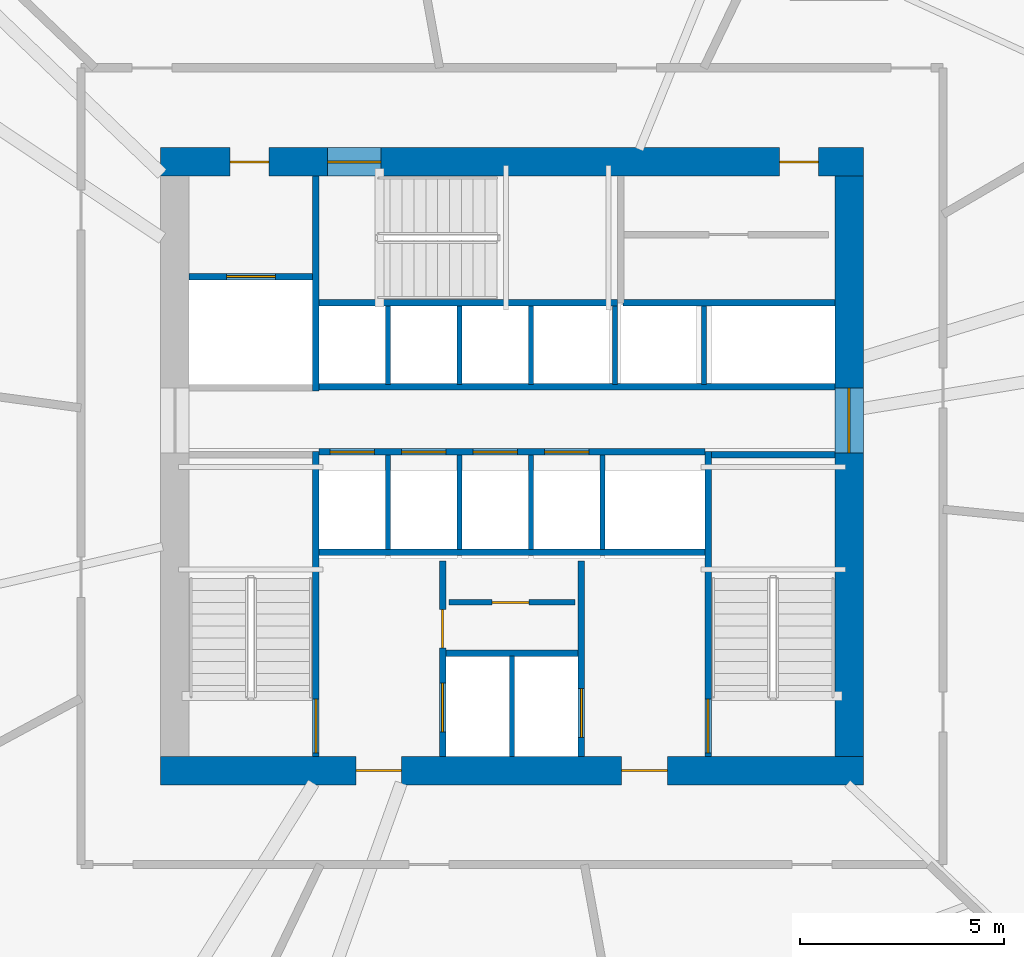
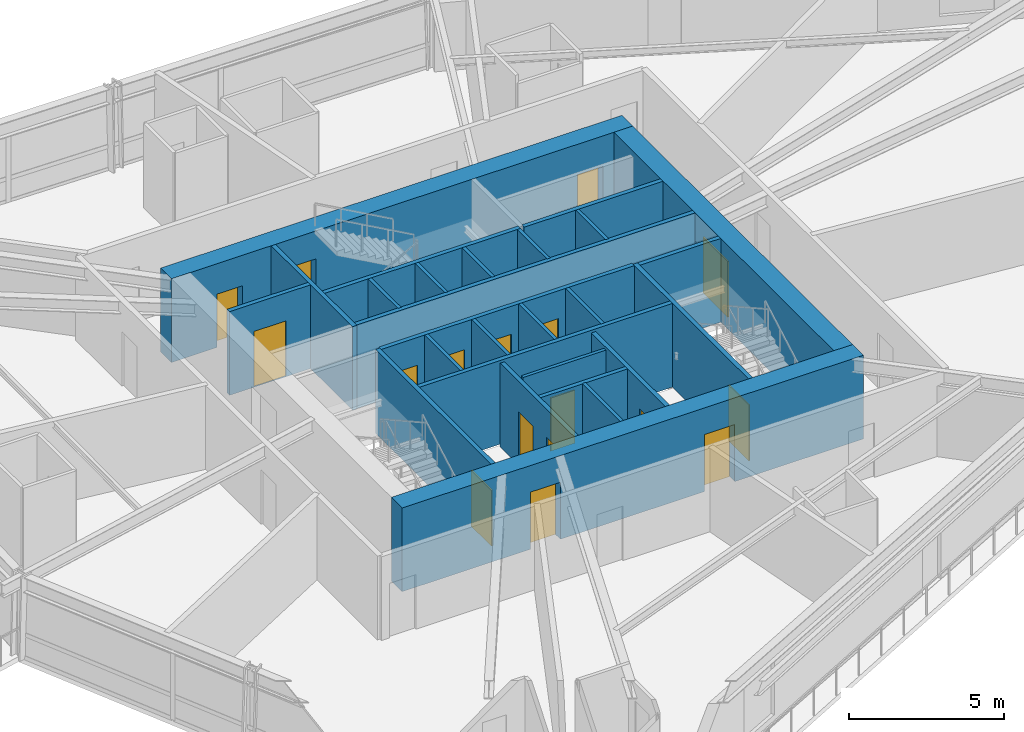
# One storey, part 15 of 22: 27 walls, 17 doors, 17 openings.
"""IFC4 building model written with IfcOpenShell, lengths in metres."""

from ifc_helpers import new_model, si_unit, direction, frame, frame_2d, origin, place, context, subcontext, project, spatial, rectangle, extrude, source, transform, mapped, material, layer, layer_set, type_object, type_shapes, element, fill, save


model = new_model("IFC4")

# Units and contexts
model_context = context("Model", 3, precision=1e-05, world=origin(), true_north=direction((0.0, 1.0)))
body_context = subcontext(model_context, "Body", "Model", "MODEL_VIEW")
ifc_project = project(units=[si_unit("LENGTHUNIT", "METRE"), si_unit("AREAUNIT", "SQUARE_METRE"), si_unit("VOLUMEUNIT", "CUBIC_METRE"), si_unit("PLANEANGLEUNIT", "RADIAN"), si_unit("MASSUNIT", "GRAM", prefix="KILO")], contexts=[model_context])

# Site, building, storey
site_placement = place(None, origin())
site = spatial("IfcSite", under=ifc_project, at=site_placement, CompositionType="ELEMENT")
building_placement = place(site_placement, origin())
building = spatial("IfcBuilding", under=site, at=building_placement, Name="Olszyna Solenne Hotel", CompositionType="ELEMENT")
storey_placement = place(building_placement, frame((0.0, 0.0, 87.949951171875)))
storey = spatial("IfcBuildingStorey", under=building, at=storey_placement, Name="L22", CompositionType="ELEMENT", Elevation=87.949951171875)

# Wall, openings, doors
ifc_material_1 = material(Name="Concrete C60/75", Category="concrete")
ifc_layer_1 = layer(ifc_material_1, 0.699951171875, Name="Concrete C60/75")
ifc_layer_set_1 = layer_set([ifc_layer_1], Name="Concrete C60/75")
wall_type_1 = type_object("IfcWallType", Name="WL-CR700", PredefinedType="SHEAR", material=ifc_layer_set_1)
wall_1_placement = place(storey_placement, frame((46.60009765625, 19.14990234375, 0.0), z_axis=(0.0, 0.0, 1.0), x_axis=(-1.0, 0.0, 0.0)))
wall_1 = element("IfcWall", 1, at=wall_1_placement, inside=storey, type_object=wall_type_1, Name="Core shear wall WL-CR700 CRW-L22-S", PredefinedType="SHEAR", context=body_context, shape_type="SweptSolid", body=[
    extrude(rectangle(XDim=17.2001953125, YDim=0.699951171875, at=frame_2d((8.60009765625, 0.0))), origin(), (0.0, 0.0, 1.0), 3.300048828125),
])
opening_1_placement = place(wall_1_placement, frame((4.800048828125, 0.0, 0.0)))
opening_1 = element("IfcOpeningElement", 2, at=opening_1_placement, cuts=wall_1, Name="Opening FL-L22-1", PredefinedType="OPENING", context=body_context, shape_type="SweptSolid", body=[
    extrude(rectangle(XDim=1.1201171875, YDim=2.25, at=frame_2d((0.56005859375, 1.125))), frame((0.0, 0.35986328125, 0.0), z_axis=(0.0, -1.0, 0.0), x_axis=(1.0, 0.0, 0.0)), (0.0, 0.0, 1.0), 0.719970703125),
])
opening_2_placement = place(wall_1_placement, frame((11.300048828125, 0.0, 0.0)))
opening_2 = element("IfcOpeningElement", 3, at=opening_2_placement, cuts=wall_1, Name="Opening FL-L22-2", PredefinedType="OPENING", context=body_context, shape_type="SweptSolid", body=[
    extrude(rectangle(XDim=1.1201171875, YDim=2.25, at=frame_2d((0.56005859375, 1.125))), frame((0.0, 0.35986328125, 0.0), z_axis=(0.0, -1.0, 0.0), x_axis=(1.0, 0.0, 0.0)), (0.0, 0.0, 1.0), 0.719970703125),
])
ifc_material_2 = material(Name="Steel S355J2", Category="steel")
door_type_1 = type_object("IfcDoorType", Name="DR-FL1", OperationType="NOTDEFINED", PredefinedType="DOOR", material=ifc_material_2)
shared_shape_1 = source(origin(), body_context, "Body", "SweptSolid", [
    extrude(rectangle(XDim=1.1201171875, YDim=2.25, at=frame_2d((0.56005859375, 1.125))), frame((0.0, 0.02490234375, 0.0), z_axis=(0.0, -1.0, 0.0), x_axis=(1.0, 0.0, 0.0)), (0.0, 0.0, 1.0), 0.050048828125),
])
type_shapes(door_type_1, [shared_shape_1])
door_1_placement = place(opening_1_placement, origin())
door_1 = element("IfcDoor", 4, at=door_1_placement, inside=storey, type_object=door_type_1, Name="Firefighting lift lobby smoke door FL-L22-1", OperationType="SINGLE_SWING_LEFT", OverallHeight=2.25, OverallWidth=1.1201171875, PredefinedType="DOOR", context=body_context, shape_type="MappedRepresentation", body=[
    mapped(shared_shape_1, transform((0.0, 0.0, 0.0), x_axis=(1.0, 0.0, 0.0), y_axis=(0.0, 1.0, 0.0), z_axis=(0.0, 0.0, 1.0), scale=1.0)),
])
fill(opening_1, door_1)
door_2_placement = place(opening_2_placement, origin())
door_2 = element("IfcDoor", 5, at=door_2_placement, inside=storey, type_object=door_type_1, Name="Firefighting lift lobby smoke door FL-L22-2", OperationType="SINGLE_SWING_RIGHT", OverallHeight=2.25, OverallWidth=1.1201171875, PredefinedType="DOOR", context=body_context, shape_type="MappedRepresentation", body=[
    mapped(shared_shape_1, transform((0.0, 0.0, 0.0), x_axis=(1.0, 0.0, 0.0), y_axis=(0.0, 1.0, 0.0), z_axis=(0.0, 0.0, 1.0), scale=1.0)),
])
fill(opening_2, door_2)

wall_2_placement = place(storey_placement, frame((29.39990234375, 34.050048828125, 0.0), z_axis=(0.0, 0.0, 1.0), x_axis=(1.0, 0.0, 0.0)))
wall_2 = element("IfcWall", 6, at=wall_2_placement, inside=storey, type_object=wall_type_1, Name="Core shear wall WL-CR700 CRW-L22-N", PredefinedType="SHEAR", context=body_context, shape_type="SweptSolid", body=[
    extrude(rectangle(XDim=17.2001953125, YDim=0.699951171875, at=frame_2d((8.60009765625, 0.0))), origin(), (0.0, 0.0, 1.0), 3.300048828125),
])
opening_3_placement = place(wall_2_placement, frame((1.699951171875, 0.0, 0.0)))
opening_3 = element("IfcOpeningElement", 7, at=opening_3_placement, cuts=wall_2, Name="Opening SVD-L22-01", PredefinedType="OPENING", context=body_context, shape_type="SweptSolid", body=[
    extrude(rectangle(XDim=0.949951171875, YDim=2.10009765625, at=frame_2d((0.47509765625, 1.050048828125))), frame((0.0, 0.35986328125, 0.0), z_axis=(0.0, -1.0, 0.0), x_axis=(1.0, 0.0, 0.0)), (0.0, 0.0, 1.0), 0.719970703125),
])
opening_4_placement = place(wall_2_placement, frame((4.080078125, 0.0, 0.0)))
opening_4 = element("IfcOpeningElement", 8, at=opening_4_placement, cuts=wall_2, Name="Opening STD-L22-03", PredefinedType="OPENING", context=body_context, shape_type="SweptSolid", body=[
    extrude(rectangle(XDim=1.320068359375, YDim=2.199951171875, at=frame_2d((0.66015625, 1.10009765625))), frame((0.0, 0.35986328125, 0.0), z_axis=(0.0, -1.0, 0.0), x_axis=(1.0, 0.0, 0.0)), (0.0, 0.0, 1.0), 0.719970703125),
])
opening_5_placement = place(wall_2_placement, frame((15.14990234375, 0.0, 0.0)))
opening_5 = element("IfcOpeningElement", 9, at=opening_5_placement, cuts=wall_2, Name="Opening SVD-L22-BN", PredefinedType="OPENING", context=body_context, shape_type="SweptSolid", body=[
    extrude(rectangle(XDim=0.949951171875, YDim=2.10009765625, at=frame_2d((0.47509765625, 1.050048828125))), frame((0.0, 0.35986328125, 0.0), z_axis=(0.0, -1.0, 0.0), x_axis=(1.0, 0.0, 0.0)), (0.0, 0.0, 1.0), 0.719970703125),
])
door_type_2 = type_object("IfcDoorType", Name="DR-ST1", OperationType="NOTDEFINED", PredefinedType="DOOR", material=ifc_material_2)
shared_shape_2 = source(origin(), body_context, "Body", "SweptSolid", [
    extrude(rectangle(XDim=1.320068359375, YDim=2.199951171875, at=frame_2d((0.66015625, 1.10009765625))), frame((0.0, 0.02490234375, 0.0), z_axis=(0.0, -1.0, 0.0), x_axis=(1.0, 0.0, 0.0)), (0.0, 0.0, 1.0), 0.050048828125),
])
type_shapes(door_type_2, [shared_shape_2])
door_3_placement = place(opening_4_placement, origin())
door_3 = element("IfcDoor", 10, at=door_3_placement, inside=storey, type_object=door_type_2, Name="Pressurised exit stair ST3 fire door STD-L22-03", OperationType="SINGLE_SWING_RIGHT", OverallHeight=2.199951171875, OverallWidth=1.320068359375, PredefinedType="DOOR", context=body_context, shape_type="MappedRepresentation", body=[
    mapped(shared_shape_2, transform((0.0, 0.0, 0.0), x_axis=(1.0, 0.0, 0.0), y_axis=(0.0, 1.0, 0.0), z_axis=(0.0, 0.0, 1.0), scale=1.0)),
])
fill(opening_4, door_3)
door_type_3 = type_object("IfcDoorType", Name="DR-SV1", OperationType="NOTDEFINED", PredefinedType="DOOR", material=ifc_material_2)
shared_shape_3 = source(origin(), body_context, "Body", "SweptSolid", [
    extrude(rectangle(XDim=0.949951171875, YDim=2.10009765625, at=frame_2d((0.47509765625, 1.050048828125))), frame((0.0, 0.02490234375, 0.0), z_axis=(0.0, -1.0, 0.0), x_axis=(1.0, 0.0, 0.0)), (0.0, 0.0, 1.0), 0.050048828125),
])
type_shapes(door_type_3, [shared_shape_3])
door_4_placement = place(opening_3_placement, origin())
door_4 = element("IfcDoor", 11, at=door_4_placement, inside=storey, type_object=door_type_3, Name="Service lift lobby fire door SVD-L22-01", OperationType="SINGLE_SWING_LEFT", OverallHeight=2.10009765625, OverallWidth=0.949951171875, PredefinedType="DOOR", context=body_context, shape_type="MappedRepresentation", body=[
    mapped(shared_shape_3, transform((0.0, 0.0, 0.0), x_axis=(1.0, 0.0, 0.0), y_axis=(0.0, 1.0, 0.0), z_axis=(0.0, 0.0, 1.0), scale=1.0)),
])
fill(opening_3, door_4)
door_5_placement = place(opening_5_placement, origin())
door_5 = element("IfcDoor", 12, at=door_5_placement, inside=storey, type_object=door_type_3, Name="Housekeeping core fire door SVD-L22-BN", OperationType="SINGLE_SWING_LEFT", OverallHeight=2.10009765625, OverallWidth=0.949951171875, PredefinedType="DOOR", context=body_context, shape_type="MappedRepresentation", body=[
    mapped(shared_shape_3, transform((0.0, 0.0, 0.0), x_axis=(1.0, 0.0, 0.0), y_axis=(0.0, 1.0, 0.0), z_axis=(0.0, 0.0, 1.0), scale=1.0)),
])
fill(opening_5, door_5)

# Wall, opening, door
wall_3_placement = place(storey_placement, frame((46.25, 33.699951171875, 0.0), z_axis=(0.0, 0.0, 1.0), x_axis=(0.0, -1.0, 0.0)))
wall_3 = element("IfcWall", 13, at=wall_3_placement, inside=storey, type_object=wall_type_1, Name="Core shear wall WL-CR700 CRW-L22-E", PredefinedType="SHEAR", context=body_context, shape_type="SweptSolid", body=[
    extrude(rectangle(XDim=14.199951171875, YDim=0.699951171875, at=frame_2d((7.10009765625, 0.0))), origin(), (0.0, 0.0, 1.0), 3.300048828125),
])
opening_6_placement = place(wall_3_placement, frame((5.179931640625, 0.0, 0.0)))
opening_6 = element("IfcOpeningElement", 14, at=opening_6_placement, cuts=wall_3, Name="Opening LHD-L22-E", PredefinedType="OPENING", context=body_context, shape_type="SweptSolid", body=[
    extrude(rectangle(XDim=1.60009765625, YDim=2.199951171875, at=frame_2d((0.800048828125, 1.10009765625))), frame((0.0, 0.35986328125, 0.0), z_axis=(0.0, -1.0, 0.0), x_axis=(1.0, 0.0, 0.0)), (0.0, 0.0, 1.0), 0.719970703125),
])
ifc_material_3 = material(Name="Timber hardwood", Category="wood")
door_type_4 = type_object("IfcDoorType", Name="DR-CR1", OperationType="DOUBLE_DOOR_SINGLE_SWING", PredefinedType="DOOR", material=ifc_material_3)
shared_shape_4 = source(origin(), body_context, "Body", "SweptSolid", [
    extrude(rectangle(XDim=1.60009765625, YDim=2.199951171875, at=frame_2d((0.800048828125, 1.10009765625))), frame((0.0, 0.02490234375, 0.0), z_axis=(0.0, -1.0, 0.0), x_axis=(1.0, 0.0, 0.0)), (0.0, 0.0, 1.0), 0.050048828125),
])
type_shapes(door_type_4, [shared_shape_4])
door_6_placement = place(opening_6_placement, origin())
door_6 = element("IfcDoor", 15, at=door_6_placement, inside=storey, type_object=door_type_4, Name="Passenger lift lobby East fire door LHD-L22-E", OperationType="DOUBLE_DOOR_SINGLE_SWING", OverallHeight=2.199951171875, OverallWidth=1.60009765625, PredefinedType="DOOR", context=body_context, shape_type="MappedRepresentation", body=[
    mapped(shared_shape_4, transform((0.0, 0.0, 0.0), x_axis=(1.0, 0.0, 0.0), y_axis=(0.0, 1.0, 0.0), z_axis=(0.0, 0.0, 1.0), scale=1.0)),
])
fill(opening_6, door_6)

# Wall
ifc_material_4 = material(Name="Acoustic gypsum partition", Category="gypsum")
ifc_layer_2 = layer(ifc_material_4, 0.125, Name="Acoustic gypsum partition")
ifc_layer_set_2 = layer_set([ifc_layer_2], Name="Acoustic gypsum partition")
wall_type_2 = type_object("IfcWallType", Name="WL-PT125", PredefinedType="PARTITIONING", material=ifc_layer_set_2)
wall_4_placement = place(storey_placement, frame((38.0, 19.5, 0.0), z_axis=(0.0, 0.0, 1.0), x_axis=(0.0, 1.0, 0.0)))
element("IfcWall", 16, at=wall_4_placement, inside=storey, type_object=wall_type_2, Name="Core shaft compartment wall CW-L22-FFM", PredefinedType="PARTITIONING", context=body_context, shape_type="SweptSolid", body=[
    extrude(rectangle(XDim=2.4599609375, YDim=0.125, at=frame_2d((1.22998046875, 0.0))), origin(), (0.0, 0.0, 1.0), 3.300048828125),
])

# Wall, opening, door
wall_5_placement = place(storey_placement, frame((36.4599609375, 23.27001953125, 0.0), z_axis=(0.0, 0.0, 1.0), x_axis=(1.0, 0.0, 0.0)))
wall_5 = element("IfcWall", 17, at=wall_5_placement, inside=storey, type_object=wall_type_2, Name="Core shaft compartment wall CW-L22-SC2", PredefinedType="PARTITIONING", context=body_context, shape_type="SweptSolid", body=[
    extrude(rectangle(XDim=3.080078125, YDim=0.125, at=frame_2d((1.5400390625, 0.0))), origin(), (0.0, 0.0, 1.0), 3.300048828125),
])
opening_7_placement = place(wall_5_placement, frame((1.050048828125, 0.0, 0.0)))
opening_7 = element("IfcOpeningElement", 18, at=opening_7_placement, cuts=wall_5, Name="Opening SVD-L22-SC2", PredefinedType="OPENING", context=body_context, shape_type="SweptSolid", body=[
    extrude(rectangle(XDim=0.89990234375, YDim=2.10009765625, at=frame_2d((0.449951171875, 1.050048828125))), frame((0.0, 0.072509765625, 0.0), z_axis=(0.0, -1.0, 0.0), x_axis=(1.0, 0.0, 0.0)), (0.0, 0.0, 1.0), 0.14501953125),
])
door_type_5 = type_object("IfcDoorType", Name="DR-WC1", OperationType="NOTDEFINED", PredefinedType="DOOR", material=ifc_material_3)
shared_shape_5 = source(origin(), body_context, "Body", "SweptSolid", [
    extrude(rectangle(XDim=0.89990234375, YDim=2.10009765625, at=frame_2d((0.449951171875, 1.050048828125))), frame((0.0, 0.02490234375, 0.0), z_axis=(0.0, -1.0, 0.0), x_axis=(1.0, 0.0, 0.0)), (0.0, 0.0, 1.0), 0.050048828125),
])
type_shapes(door_type_5, [shared_shape_5])
door_7_placement = place(opening_7_placement, origin())
door_7 = element("IfcDoor", 19, at=door_7_placement, inside=storey, type_object=door_type_5, Name="Butler pantry door SVD-L22-SC2", OperationType="SINGLE_SWING_RIGHT", OverallHeight=2.10009765625, OverallWidth=0.89990234375, PredefinedType="DOOR", context=body_context, shape_type="MappedRepresentation", body=[
    mapped(shared_shape_5, transform((0.0, 0.0, 0.0), x_axis=(1.0, 0.0, 0.0), y_axis=(0.0, 1.0, 0.0), z_axis=(0.0, 0.0, 1.0), scale=1.0)),
])
fill(opening_7, door_7)

# Walls
for number, where, z_axis, x_axis, name in (
    (20, (34.965087890625, 24.56005859375, 0.0), (0.0, 0.0, 1.0), (0.0, 1.0, 0.0), "Core shaft compartment wall CW-L22-DIVS349"),
    (21, (36.715087890625, 24.56005859375, 0.0), (0.0, 0.0, 1.0), (0.0, 1.0, 0.0), "Core shaft compartment wall CW-L22-DIVS367"),
    (22, (38.465087890625, 24.56005859375, 0.0), (0.0, 0.0, 1.0), (0.0, 1.0, 0.0), "Core shaft compartment wall CW-L22-DIVS384"),
    (23, (40.215087890625, 24.56005859375, 0.0), (0.0, 0.0, 1.0), (0.0, 1.0, 0.0), "Core shaft compartment wall CW-L22-DIVS402"),
):
    element("IfcWall", number, at=place(storey_placement, frame(where, z_axis=z_axis, x_axis=x_axis)), inside=storey, type_object=wall_type_2, Name=name, PredefinedType="PARTITIONING", context=body_context, shape_type="SweptSolid", body=[
        extrude(rectangle(XDim=2.31005859375, YDim=0.125, at=frame_2d((1.155029296875, 0.0))), origin(), (0.0, 0.0, 1.0), 3.300048828125),
    ])
for number, where, z_axis, x_axis, name in (
    (24, (34.965087890625, 28.60009765625, 0.0), (0.0, 0.0, 1.0), (0.0, 1.0, 0.0), "Core shaft compartment wall CW-L22-DIVN349"),
    (25, (36.715087890625, 28.60009765625, 0.0), (0.0, 0.0, 1.0), (0.0, 1.0, 0.0), "Core shaft compartment wall CW-L22-DIVN367"),
    (26, (38.465087890625, 28.60009765625, 0.0), (0.0, 0.0, 1.0), (0.0, 1.0, 0.0), "Core shaft compartment wall CW-L22-DIVN384"),
    (27, (40.52490234375, 28.60009765625, 0.0), (0.0, 0.0, 1.0), (0.0, 1.0, 0.0), "Core shaft compartment wall CW-L22-DIVEX405"),
    (28, (42.699951171875, 28.60009765625, 0.0), (0.0, 0.0, 1.0), (0.0, 1.0, 0.0), "Core shaft compartment wall CW-L22-DIVEX427"),
):
    element("IfcWall", number, at=place(storey_placement, frame(where, z_axis=z_axis, x_axis=x_axis)), inside=storey, type_object=wall_type_2, Name=name, PredefinedType="PARTITIONING", context=body_context, shape_type="SweptSolid", body=[
        extrude(rectangle(XDim=1.919921875, YDim=0.125, at=frame_2d((0.9599609375, 0.0))), origin(), (0.0, 0.0, 1.0), 3.300048828125),
    ])

# Wall, opening, door
ifc_layer_3 = layer(ifc_material_4, 0.159912109375, Name="Acoustic gypsum partition")
ifc_layer_set_3 = layer_set([ifc_layer_3], Name="Acoustic gypsum partition")
wall_type_3 = type_object("IfcWallType", Name="WL-PT160", PredefinedType="PARTITIONING", material=ifc_layer_set_3)
wall_6_placement = place(storey_placement, frame((33.199951171875, 19.5, 0.0), z_axis=(0.0, 0.0, 1.0), x_axis=(0.0, 1.0, 0.0)))
wall_6 = element("IfcWall", 29, at=wall_6_placement, inside=storey, type_object=wall_type_3, Name="Core shaft compartment wall CW-L22-ST1E", PredefinedType="PARTITIONING", context=body_context, shape_type="SweptSolid", body=[
    extrude(rectangle(XDim=7.4599609375, YDim=0.159912109375, at=frame_2d((3.72998046875, 0.0))), origin(), (0.0, 0.0, 1.0), 3.300048828125),
])
opening_8_placement = place(wall_6_placement, frame((0.080078125, 0.0, 0.0)))
opening_8 = element("IfcOpeningElement", 30, at=opening_8_placement, cuts=wall_6, Name="Opening STD-L22-01", PredefinedType="OPENING", context=body_context, shape_type="SweptSolid", body=[
    extrude(rectangle(XDim=1.320068359375, YDim=2.199951171875, at=frame_2d((0.66015625, 1.10009765625))), frame((0.0, 0.08984375, 0.0), z_axis=(0.0, -1.0, 0.0), x_axis=(1.0, 0.0, 0.0)), (0.0, 0.0, 1.0), 0.179931640625),
])
door_8_placement = place(opening_8_placement, origin())
door_8 = element("IfcDoor", 31, at=door_8_placement, inside=storey, type_object=door_type_2, Name="Pressurised exit stair ST1 fire door STD-L22-01", OperationType="SINGLE_SWING_LEFT", OverallHeight=2.199951171875, OverallWidth=1.320068359375, PredefinedType="DOOR", context=body_context, shape_type="MappedRepresentation", body=[
    mapped(shared_shape_2, transform((0.0, 0.0, 0.0), x_axis=(1.0, 0.0, 0.0), y_axis=(0.0, 1.0, 0.0), z_axis=(0.0, 0.0, 1.0), scale=1.0)),
])
fill(opening_8, door_8)

wall_7_placement = place(storey_placement, frame((42.800048828125, 26.9599609375, 0.0), z_axis=(0.0, 0.0, 1.0), x_axis=(0.0, -1.0, 0.0)))
wall_7 = element("IfcWall", 32, at=wall_7_placement, inside=storey, type_object=wall_type_3, Name="Core shaft compartment wall CW-L22-ST2W", PredefinedType="PARTITIONING", context=body_context, shape_type="SweptSolid", body=[
    extrude(rectangle(XDim=7.4599609375, YDim=0.159912109375, at=frame_2d((3.72998046875, 0.0))), origin(), (0.0, 0.0, 1.0), 3.300048828125),
])
opening_9_placement = place(wall_7_placement, frame((6.06005859375, 0.0, 0.0)))
opening_9 = element("IfcOpeningElement", 33, at=opening_9_placement, cuts=wall_7, Name="Opening STD-L22-02", PredefinedType="OPENING", context=body_context, shape_type="SweptSolid", body=[
    extrude(rectangle(XDim=1.320068359375, YDim=2.199951171875, at=frame_2d((0.66015625, 1.10009765625))), frame((0.0, 0.08984375, 0.0), z_axis=(0.0, -1.0, 0.0), x_axis=(1.0, 0.0, 0.0)), (0.0, 0.0, 1.0), 0.179931640625),
])
door_9_placement = place(opening_9_placement, origin())
door_9 = element("IfcDoor", 34, at=door_9_placement, inside=storey, type_object=door_type_2, Name="Pressurised exit stair ST2 fire door STD-L22-02", OperationType="SINGLE_SWING_RIGHT", OverallHeight=2.199951171875, OverallWidth=1.320068359375, PredefinedType="DOOR", context=body_context, shape_type="MappedRepresentation", body=[
    mapped(shared_shape_2, transform((0.0, 0.0, 0.0), x_axis=(1.0, 0.0, 0.0), y_axis=(0.0, 1.0, 0.0), z_axis=(0.0, 0.0, 1.0), scale=1.0)),
])
fill(opening_9, door_9)

# Walls
wall_8_placement = place(storey_placement, frame((42.8798828125, 26.8798828125, 0.0), z_axis=(0.0, 0.0, 1.0), x_axis=(1.0, 0.0, 0.0)))
element("IfcWall", 35, at=wall_8_placement, inside=storey, type_object=wall_type_3, Name="Core shaft compartment wall CW-L22-ST2N", PredefinedType="PARTITIONING", context=body_context, shape_type="SweptSolid", body=[
    extrude(rectangle(XDim=3.02001953125, YDim=0.159912109375, at=frame_2d((1.510009765625, 0.0))), origin(), (0.0, 0.0, 1.0), 3.300048828125),
])
wall_9_placement = place(storey_placement, frame((33.280029296875, 30.60009765625, 0.0), z_axis=(0.0, 0.0, 1.0), x_axis=(1.0, 0.0, 0.0)))
element("IfcWall", 36, at=wall_9_placement, inside=storey, type_object=wall_type_3, Name="Core shaft compartment wall CW-L22-ST3S", PredefinedType="PARTITIONING", context=body_context, shape_type="SweptSolid", body=[
    extrude(rectangle(XDim=7.300048828125, YDim=0.159912109375, at=frame_2d((3.64990234375, 0.0))), origin(), (0.0, 0.0, 1.0), 3.300048828125),
])

# Wall, openings, doors
wall_10_placement = place(storey_placement, frame((36.300048828125, 19.5, 0.0), z_axis=(0.0, 0.0, 1.0), x_axis=(0.0, 1.0, 0.0)))
wall_10 = element("IfcWall", 37, at=wall_10_placement, inside=storey, type_object=wall_type_3, Name="Core shaft compartment wall CW-L22-FF1W", PredefinedType="PARTITIONING", context=body_context, shape_type="SweptSolid", body=[
    extrude(rectangle(XDim=4.780029296875, YDim=0.159912109375, at=frame_2d((2.39013671875, 0.0))), origin(), (0.0, 0.0, 1.0), 3.300048828125),
])
opening_10_placement = place(wall_10_placement, frame((0.60009765625, 0.0, 0.0)))
opening_10 = element("IfcOpeningElement", 38, at=opening_10_placement, cuts=wall_10, Name="Opening LD-L22-FF1", PredefinedType="OPENING", context=body_context, shape_type="SweptSolid", body=[
    extrude(rectangle(XDim=1.199951171875, YDim=2.199951171875, at=frame_2d((0.60009765625, 1.10009765625))), frame((0.0, 0.08984375, 0.0), z_axis=(0.0, -1.0, 0.0), x_axis=(1.0, 0.0, 0.0)), (0.0, 0.0, 1.0), 0.179931640625),
])
opening_11_placement = place(wall_10_placement, frame((2.64990234375, 0.0, 0.0)))
opening_11 = element("IfcOpeningElement", 39, at=opening_11_placement, cuts=wall_10, Name="Opening SVD-L22-SMK", PredefinedType="OPENING", context=body_context, shape_type="SweptSolid", body=[
    extrude(rectangle(XDim=0.949951171875, YDim=2.10009765625, at=frame_2d((0.47509765625, 1.050048828125))), frame((0.0, 0.08984375, 0.0), z_axis=(0.0, -1.0, 0.0), x_axis=(1.0, 0.0, 0.0)), (0.0, 0.0, 1.0), 0.179931640625),
])
door_10_placement = place(opening_11_placement, origin())
door_10 = element("IfcDoor", 40, at=door_10_placement, inside=storey, type_object=door_type_3, Name="Valet and core service room door SVD-L22-SMK", OperationType="SINGLE_SWING_LEFT", OverallHeight=2.10009765625, OverallWidth=0.949951171875, PredefinedType="DOOR", context=body_context, shape_type="MappedRepresentation", body=[
    mapped(shared_shape_3, transform((0.0, 0.0, 0.0), x_axis=(1.0, 0.0, 0.0), y_axis=(0.0, 1.0, 0.0), z_axis=(0.0, 0.0, 1.0), scale=1.0)),
])
fill(opening_11, door_10)
door_type_6 = type_object("IfcDoorType", Name="LD-FF1", OperationType="DOUBLE_DOOR_SLIDING", PredefinedType="DOOR", material=ifc_material_2)
shared_shape_6 = source(origin(), body_context, "Body", "SweptSolid", [
    extrude(rectangle(XDim=1.199951171875, YDim=2.199951171875, at=frame_2d((0.60009765625, 1.10009765625))), frame((0.0, 0.02490234375, 0.0), z_axis=(0.0, -1.0, 0.0), x_axis=(1.0, 0.0, 0.0)), (0.0, 0.0, 1.0), 0.050048828125),
])
type_shapes(door_type_6, [shared_shape_6])
door_11_placement = place(opening_10_placement, origin())
door_11 = element("IfcDoor", 41, at=door_11_placement, inside=storey, type_object=door_type_6, Name="Firefighters lift FF1 sliding landing door LD-L22-FF1", OperationType="DOUBLE_DOOR_SLIDING", OverallHeight=2.199951171875, OverallWidth=1.199951171875, PredefinedType="DOOR", context=body_context, shape_type="MappedRepresentation", body=[
    mapped(shared_shape_6, transform((0.0, 0.0, 0.0), x_axis=(1.0, 0.0, 0.0), y_axis=(0.0, 1.0, 0.0), z_axis=(0.0, 0.0, 1.0), scale=1.0)),
])
fill(opening_10, door_11)

# Wall, opening, door
wall_11_placement = place(storey_placement, frame((39.699951171875, 24.280029296875, 0.0), z_axis=(0.0, 0.0, 1.0), x_axis=(0.0, -1.0, 0.0)))
wall_11 = element("IfcWall", 42, at=wall_11_placement, inside=storey, type_object=wall_type_3, Name="Core shaft compartment wall CW-L22-FF2E", PredefinedType="PARTITIONING", context=body_context, shape_type="SweptSolid", body=[
    extrude(rectangle(XDim=4.780029296875, YDim=0.159912109375, at=frame_2d((2.39013671875, 0.0))), origin(), (0.0, 0.0, 1.0), 3.300048828125),
])
opening_12_placement = place(wall_11_placement, frame((3.1201171875, 0.0, 0.0)))
opening_12 = element("IfcOpeningElement", 43, at=opening_12_placement, cuts=wall_11, Name="Opening LD-L22-FF2", PredefinedType="OPENING", context=body_context, shape_type="SweptSolid", body=[
    extrude(rectangle(XDim=1.199951171875, YDim=2.199951171875, at=frame_2d((0.60009765625, 1.10009765625))), frame((0.0, 0.08984375, 0.0), z_axis=(0.0, -1.0, 0.0), x_axis=(1.0, 0.0, 0.0)), (0.0, 0.0, 1.0), 0.179931640625),
])
door_12_placement = place(opening_12_placement, origin())
door_12 = element("IfcDoor", 44, at=door_12_placement, inside=storey, type_object=door_type_6, Name="Firefighters lift FF2 sliding landing door LD-L22-FF2", OperationType="DOUBLE_DOOR_SLIDING", OverallHeight=2.199951171875, OverallWidth=1.199951171875, PredefinedType="DOOR", context=body_context, shape_type="MappedRepresentation", body=[
    mapped(shared_shape_6, transform((0.0, 0.0, 0.0), x_axis=(1.0, 0.0, 0.0), y_axis=(0.0, 1.0, 0.0), z_axis=(0.0, 0.0, 1.0), scale=1.0)),
])
fill(opening_12, door_12)

# Walls
wall_12_placement = place(storey_placement, frame((36.3798828125, 22.02001953125, 0.0), z_axis=(0.0, 0.0, 1.0), x_axis=(1.0, 0.0, 0.0)))
element("IfcWall", 45, at=wall_12_placement, inside=storey, type_object=wall_type_3, Name="Core shaft compartment wall CW-L22-FFN", PredefinedType="PARTITIONING", context=body_context, shape_type="SweptSolid", body=[
    extrude(rectangle(XDim=3.240234375, YDim=0.159912109375, at=frame_2d((1.6201171875, 0.0))), origin(), (0.0, 0.0, 1.0), 3.300048828125),
])
wall_13_placement = place(storey_placement, frame((33.280029296875, 24.489990234375, 0.0), z_axis=(0.0, 0.0, 1.0), x_axis=(1.0, 0.0, 0.0)))
element("IfcWall", 46, at=wall_13_placement, inside=storey, type_object=wall_type_3, Name="Core shaft compartment wall CW-L22-FFBN", PredefinedType="PARTITIONING", context=body_context, shape_type="SweptSolid", body=[
    extrude(rectangle(XDim=9.43994140625, YDim=0.159912109375, at=frame_2d((4.719970703125, 0.0))), origin(), (0.0, 0.0, 1.0), 3.300048828125),
])
wall_14_placement = place(storey_placement, frame((33.199951171875, 28.43994140625, 0.0), z_axis=(0.0, 0.0, 1.0), x_axis=(0.0, 1.0, 0.0)))
element("IfcWall", 47, at=wall_14_placement, inside=storey, type_object=wall_type_3, Name="Core shaft compartment wall CW-L22-SV1E", PredefinedType="PARTITIONING", context=body_context, shape_type="SweptSolid", body=[
    extrude(rectangle(XDim=5.260009765625, YDim=0.159912109375, at=frame_2d((2.6298828125, 0.0))), origin(), (0.0, 0.0, 1.0), 3.300048828125),
])

# Wall, opening, door
wall_15_placement = place(storey_placement, frame((30.10009765625, 31.239990234375, 0.0), z_axis=(0.0, 0.0, 1.0), x_axis=(1.0, 0.0, 0.0)))
wall_15 = element("IfcWall", 48, at=wall_15_placement, inside=storey, type_object=wall_type_3, Name="Core shaft compartment wall CW-L22-SV1N", PredefinedType="PARTITIONING", context=body_context, shape_type="SweptSolid", body=[
    extrude(rectangle(XDim=3.02001953125, YDim=0.159912109375, at=frame_2d((1.510009765625, 0.0))), origin(), (0.0, 0.0, 1.0), 3.300048828125),
])
opening_13_placement = place(wall_15_placement, frame((0.909912109375, 0.0, 0.0)))
opening_13 = element("IfcOpeningElement", 49, at=opening_13_placement, cuts=wall_15, Name="Opening LD-L22-SV1", PredefinedType="OPENING", context=body_context, shape_type="SweptSolid", body=[
    extrude(rectangle(XDim=1.199951171875, YDim=2.199951171875, at=frame_2d((0.60009765625, 1.10009765625))), frame((0.0, 0.08984375, 0.0), z_axis=(0.0, -1.0, 0.0), x_axis=(1.0, 0.0, 0.0)), (0.0, 0.0, 1.0), 0.179931640625),
])
door_13_placement = place(opening_13_placement, origin())
door_13 = element("IfcDoor", 50, at=door_13_placement, inside=storey, type_object=door_type_6, Name="Service lift SV1 sliding landing door LD-L22-SV1", OperationType="DOUBLE_DOOR_SLIDING", OverallHeight=2.199951171875, OverallWidth=1.199951171875, PredefinedType="DOOR", context=body_context, shape_type="MappedRepresentation", body=[
    mapped(shared_shape_6, transform((0.0, 0.0, 0.0), x_axis=(1.0, 0.0, 0.0), y_axis=(0.0, 1.0, 0.0), z_axis=(0.0, 0.0, 1.0), scale=1.0)),
])
fill(opening_13, door_13)

# Wall, openings, doors
wall_16_placement = place(storey_placement, frame((33.280029296875, 26.949951171875, 0.0), z_axis=(0.0, 0.0, 1.0), x_axis=(1.0, 0.0, 0.0)))
wall_16 = element("IfcWall", 51, at=wall_16_placement, inside=storey, type_object=wall_type_3, Name="Core shaft compartment wall CW-L22-LRS", PredefinedType="PARTITIONING", context=body_context, shape_type="SweptSolid", body=[
    extrude(rectangle(XDim=9.43994140625, YDim=0.159912109375, at=frame_2d((4.719970703125, 0.0))), origin(), (0.0, 0.0, 1.0), 3.300048828125),
])
opening_14_placement = place(wall_16_placement, frame((0.260009765625, 0.0, 0.0)))
opening_14 = element("IfcOpeningElement", 52, at=opening_14_placement, cuts=wall_16, Name="Opening LD-L22-PL1", PredefinedType="OPENING", context=body_context, shape_type="SweptSolid", body=[
    extrude(rectangle(XDim=1.10009765625, YDim=2.199951171875, at=frame_2d((0.550048828125, 1.10009765625))), frame((0.0, 0.08984375, 0.0), z_axis=(0.0, -1.0, 0.0), x_axis=(1.0, 0.0, 0.0)), (0.0, 0.0, 1.0), 0.179931640625),
])
opening_15_placement = place(wall_16_placement, frame((2.010009765625, 0.0, 0.0)))
opening_15 = element("IfcOpeningElement", 53, at=opening_15_placement, cuts=wall_16, Name="Opening LD-L22-PL2", PredefinedType="OPENING", context=body_context, shape_type="SweptSolid", body=[
    extrude(rectangle(XDim=1.10009765625, YDim=2.199951171875, at=frame_2d((0.550048828125, 1.10009765625))), frame((0.0, 0.08984375, 0.0), z_axis=(0.0, -1.0, 0.0), x_axis=(1.0, 0.0, 0.0)), (0.0, 0.0, 1.0), 0.179931640625),
])
opening_16_placement = place(wall_16_placement, frame((3.760009765625, 0.0, 0.0)))
opening_16 = element("IfcOpeningElement", 54, at=opening_16_placement, cuts=wall_16, Name="Opening LD-L22-PL3", PredefinedType="OPENING", context=body_context, shape_type="SweptSolid", body=[
    extrude(rectangle(XDim=1.10009765625, YDim=2.199951171875, at=frame_2d((0.550048828125, 1.10009765625))), frame((0.0, 0.08984375, 0.0), z_axis=(0.0, -1.0, 0.0), x_axis=(1.0, 0.0, 0.0)), (0.0, 0.0, 1.0), 0.179931640625),
])
opening_17_placement = place(wall_16_placement, frame((5.510009765625, 0.0, 0.0)))
opening_17 = element("IfcOpeningElement", 55, at=opening_17_placement, cuts=wall_16, Name="Opening LD-L22-PL4", PredefinedType="OPENING", context=body_context, shape_type="SweptSolid", body=[
    extrude(rectangle(XDim=1.10009765625, YDim=2.199951171875, at=frame_2d((0.550048828125, 1.10009765625))), frame((0.0, 0.08984375, 0.0), z_axis=(0.0, -1.0, 0.0), x_axis=(1.0, 0.0, 0.0)), (0.0, 0.0, 1.0), 0.179931640625),
])
door_type_7 = type_object("IfcDoorType", Name="LD-P1", OperationType="DOUBLE_DOOR_SLIDING", PredefinedType="DOOR", material=ifc_material_2)
shared_shape_7 = source(origin(), body_context, "Body", "SweptSolid", [
    extrude(rectangle(XDim=1.10009765625, YDim=2.199951171875, at=frame_2d((0.550048828125, 1.10009765625))), frame((0.0, 0.02490234375, 0.0), z_axis=(0.0, -1.0, 0.0), x_axis=(1.0, 0.0, 0.0)), (0.0, 0.0, 1.0), 0.050048828125),
])
type_shapes(door_type_7, [shared_shape_7])
door_14_placement = place(opening_14_placement, origin())
door_14 = element("IfcDoor", 56, at=door_14_placement, inside=storey, type_object=door_type_7, Name="Passenger lift PL1 sliding landing door LD-L22-PL1", OperationType="DOUBLE_DOOR_SLIDING", OverallHeight=2.199951171875, OverallWidth=1.10009765625, PredefinedType="DOOR", context=body_context, shape_type="MappedRepresentation", body=[
    mapped(shared_shape_7, transform((0.0, 0.0, 0.0), x_axis=(1.0, 0.0, 0.0), y_axis=(0.0, 1.0, 0.0), z_axis=(0.0, 0.0, 1.0), scale=1.0)),
])
fill(opening_14, door_14)
door_15_placement = place(opening_15_placement, origin())
door_15 = element("IfcDoor", 57, at=door_15_placement, inside=storey, type_object=door_type_7, Name="Passenger lift PL2 sliding landing door LD-L22-PL2", OperationType="DOUBLE_DOOR_SLIDING", OverallHeight=2.199951171875, OverallWidth=1.10009765625, PredefinedType="DOOR", context=body_context, shape_type="MappedRepresentation", body=[
    mapped(shared_shape_7, transform((0.0, 0.0, 0.0), x_axis=(1.0, 0.0, 0.0), y_axis=(0.0, 1.0, 0.0), z_axis=(0.0, 0.0, 1.0), scale=1.0)),
])
fill(opening_15, door_15)
door_16_placement = place(opening_16_placement, origin())
door_16 = element("IfcDoor", 58, at=door_16_placement, inside=storey, type_object=door_type_7, Name="Passenger lift PL3 sliding landing door LD-L22-PL3", OperationType="DOUBLE_DOOR_SLIDING", OverallHeight=2.199951171875, OverallWidth=1.10009765625, PredefinedType="DOOR", context=body_context, shape_type="MappedRepresentation", body=[
    mapped(shared_shape_7, transform((0.0, 0.0, 0.0), x_axis=(1.0, 0.0, 0.0), y_axis=(0.0, 1.0, 0.0), z_axis=(0.0, 0.0, 1.0), scale=1.0)),
])
fill(opening_16, door_16)
door_17_placement = place(opening_17_placement, origin())
door_17 = element("IfcDoor", 59, at=door_17_placement, inside=storey, type_object=door_type_7, Name="Passenger lift PL4 sliding landing door LD-L22-PL4", OperationType="DOUBLE_DOOR_SLIDING", OverallHeight=2.199951171875, OverallWidth=1.10009765625, PredefinedType="DOOR", context=body_context, shape_type="MappedRepresentation", body=[
    mapped(shared_shape_7, transform((0.0, 0.0, 0.0), x_axis=(1.0, 0.0, 0.0), y_axis=(0.0, 1.0, 0.0), z_axis=(0.0, 0.0, 1.0), scale=1.0)),
])
fill(opening_17, door_17)

# Walls
wall_17_placement = place(storey_placement, frame((33.280029296875, 28.5400390625, 0.0), z_axis=(0.0, 0.0, 1.0), x_axis=(1.0, 0.0, 0.0)))
element("IfcWall", 60, at=wall_17_placement, inside=storey, type_object=wall_type_3, Name="Core shaft compartment wall CW-L22-LRN", PredefinedType="PARTITIONING", context=body_context, shape_type="SweptSolid", body=[
    extrude(rectangle(XDim=12.619873046875, YDim=0.159912109375, at=frame_2d((6.31005859375, 0.0))), origin(), (0.0, 0.0, 1.0), 3.300048828125),
])
wall_18_placement = place(storey_placement, frame((40.719970703125, 30.60009765625, 0.0), z_axis=(0.0, 0.0, 1.0), x_axis=(1.0, 0.0, 0.0)))
element("IfcWall", 61, at=wall_18_placement, inside=storey, type_object=wall_type_3, Name="Core shaft compartment wall CW-L22-LRNTOP", PredefinedType="PARTITIONING", context=body_context, shape_type="SweptSolid", body=[
    extrude(rectangle(XDim=5.179931640625, YDim=0.159912109375, at=frame_2d((2.58984375, 0.0))), origin(), (0.0, 0.0, 1.0), 3.300048828125),
])

save(model, "model.ifc")
